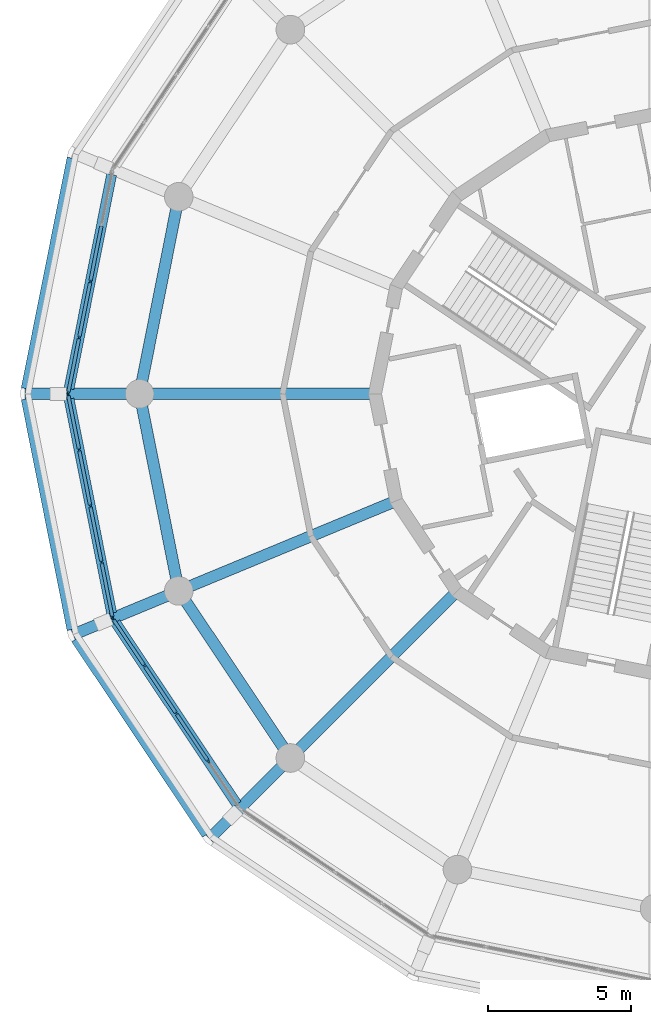
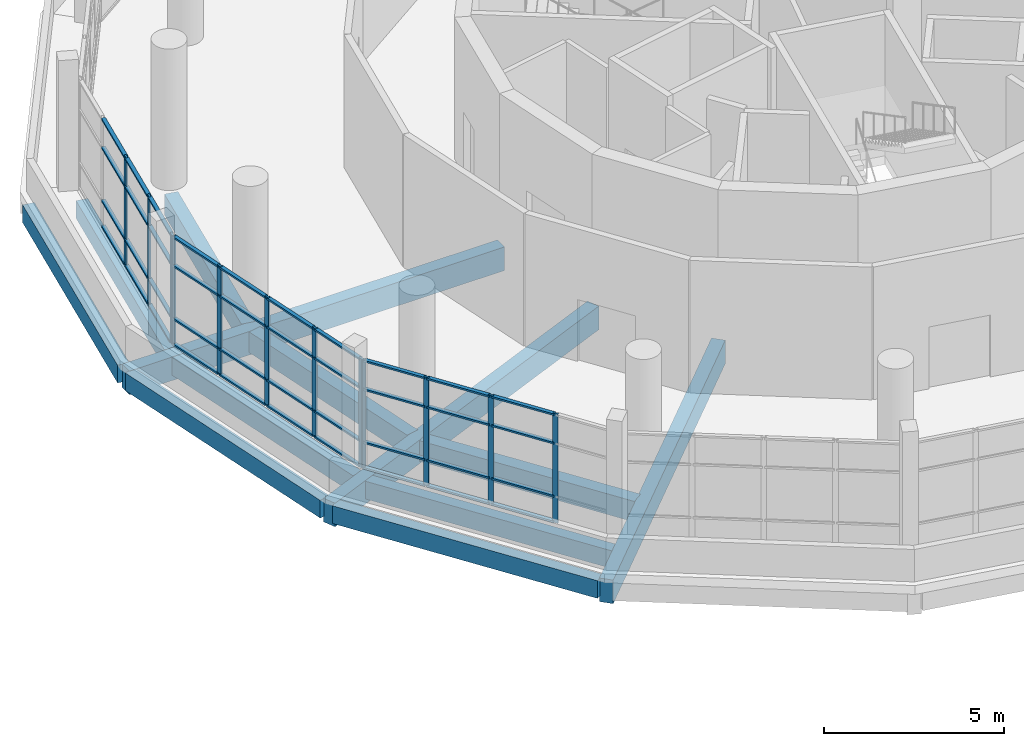
# One storey, part 6 of 40: 52 members, 12 beams, 3 elements without a shape of their own.
"""IFC4 building model written with IfcOpenShell, lengths in metres."""

from ifc_helpers import new_model, si_unit, direction, frame, origin, origin_2d, place, context, subcontext, project, spatial, rectangle, extrude, material, material_profile, profile_set, type_object, element, aggregate, save


model = new_model("IFC4")

# Units and contexts
model_context = context("Model", 3, precision=1e-05, world=origin(), true_north=direction((0.0, 1.0)))
body_context = subcontext(model_context, "Body", "Model", "MODEL_VIEW")
ifc_project = project(units=[si_unit("LENGTHUNIT", "METRE"), si_unit("AREAUNIT", "SQUARE_METRE"), si_unit("VOLUMEUNIT", "CUBIC_METRE"), si_unit("PLANEANGLEUNIT", "RADIAN"), si_unit("MASSUNIT", "GRAM", prefix="KILO")], contexts=[model_context])

# Site, building, storey
site_placement = place(None, origin())
site = spatial("IfcSite", under=ifc_project, at=site_placement, CompositionType="ELEMENT")
building_placement = place(site_placement, origin())
building = spatial("IfcBuilding", under=site, at=building_placement, Name="Ceibo Conservatory and Research Tower", CompositionType="ELEMENT")
storey_placement = place(building_placement, frame((0.0, 0.0, 6.0)))
storey = spatial("IfcBuildingStorey", under=building, at=storey_placement, Name="L01", CompositionType="ELEMENT", Elevation=6.0)

# Curtain wall, members
ifc_material_1 = material(Name="Aluminium and glass", Category="aluminium")
curtain_wall_type = type_object("IfcCurtainWallType", Name="Curtain wall CW1", PredefinedType="NOTDEFINED", material=ifc_material_1)
curtain_wall_1_placement = place(storey_placement, origin())
curtain_wall_1 = element("IfcCurtainWall", 1, at=curtain_wall_1_placement, inside=storey, type_object=curtain_wall_type, Name="CW-01.08", PredefinedType="NOTDEFINED")
ifc_material_2 = material(Name="Aluminium", Category="aluminium")
ifc_material_profile_1 = material_profile(ifc_material_2, rectangle(XDim=0.06005859375, YDim=0.159912109375, at=origin_2d()), Name="Aluminium 60 x 160")
ifc_profile_set_1 = profile_set([ifc_material_profile_1], Name="Aluminium")
member_type_1 = type_object("IfcMemberType", Name="Aluminium mullion 60 x 160", PredefinedType="MULLION", material=ifc_profile_set_1)
member_1_placement = place(storey_placement, frame((28.2802734375, 123.922607421875, 0.0), z_axis=(0.0, 0.0, 1.0), x_axis=(0.980785268711, -0.195090380799, 0.0)))
member_1 = element("IfcMember", 2, at=member_1_placement, type_object=member_type_1, Name="CW-01.08 mullion 3", PredefinedType="MULLION", context=body_context, shape_type="SweptSolid", body=[
    extrude(rectangle(XDim=0.06005859375, YDim=0.159912109375, at=origin_2d()), origin(), (0.0, 0.0, 1.0), 3.699951171875),
])
member_2_placement = place(storey_placement, frame((27.89013671875, 121.961181640625, 0.0), z_axis=(0.0, 0.0, 1.0), x_axis=(0.980785268711, -0.195090380799, 0.0)))
member_2 = element("IfcMember", 3, at=member_2_placement, type_object=member_type_1, Name="CW-01.08 mullion 4", PredefinedType="MULLION", context=body_context, shape_type="SweptSolid", body=[
    extrude(rectangle(XDim=0.06005859375, YDim=0.159912109375, at=origin_2d()), origin(), (0.0, 0.0, 1.0), 3.699951171875),
])
member_3_placement = place(storey_placement, frame((27.505859375, 120.029541015625, 0.0), z_axis=(0.0, 0.0, 1.0), x_axis=(0.980785268711, -0.195090380799, 0.0)))
member_3 = element("IfcMember", 4, at=member_3_placement, type_object=member_type_1, Name="CW-01.08 mullion 5", PredefinedType="MULLION", context=body_context, shape_type="SweptSolid", body=[
    extrude(rectangle(XDim=0.06005859375, YDim=0.159912109375, at=origin_2d()), origin(), (0.0, 0.0, 1.0), 3.699951171875),
])

curtain_wall_2_placement = place(storey_placement, origin())
curtain_wall_2 = element("IfcCurtainWall", 5, at=curtain_wall_2_placement, inside=storey, type_object=curtain_wall_type, Name="CW-01.09", PredefinedType="NOTDEFINED")
member_4_placement = place(storey_placement, frame((27.505859375, 119.970458984375, 0.0), z_axis=(0.0, 0.0, 1.0), x_axis=(0.980785268711, 0.195090380799, 0.0)))
member_4 = element("IfcMember", 6, at=member_4_placement, type_object=member_type_1, Name="CW-01.09 mullion 1", PredefinedType="MULLION", context=body_context, shape_type="SweptSolid", body=[
    extrude(rectangle(XDim=0.06005859375, YDim=0.159912109375, at=origin_2d()), origin(), (0.0, 0.0, 1.0), 3.699951171875),
])
member_5_placement = place(storey_placement, frame((27.89013671875, 118.038818359375, 0.0), z_axis=(0.0, 0.0, 1.0), x_axis=(0.980785268711, 0.195090380799, 0.0)))
member_5 = element("IfcMember", 7, at=member_5_placement, type_object=member_type_1, Name="CW-01.09 mullion 2", PredefinedType="MULLION", context=body_context, shape_type="SweptSolid", body=[
    extrude(rectangle(XDim=0.06005859375, YDim=0.159912109375, at=origin_2d()), origin(), (0.0, 0.0, 1.0), 3.699951171875),
])
member_6_placement = place(storey_placement, frame((28.2802734375, 116.077392578125, 0.0), z_axis=(0.0, 0.0, 1.0), x_axis=(0.980785268711, 0.195090380799, 0.0)))
member_6 = element("IfcMember", 8, at=member_6_placement, type_object=member_type_1, Name="CW-01.09 mullion 3", PredefinedType="MULLION", context=body_context, shape_type="SweptSolid", body=[
    extrude(rectangle(XDim=0.06005859375, YDim=0.159912109375, at=origin_2d()), origin(), (0.0, 0.0, 1.0), 3.699951171875),
])
member_7_placement = place(storey_placement, frame((28.67041015625, 114.1162109375, 0.0), z_axis=(0.0, 0.0, 1.0), x_axis=(0.980785268711, 0.195090380799, 0.0)))
member_7 = element("IfcMember", 9, at=member_7_placement, type_object=member_type_1, Name="CW-01.09 mullion 4", PredefinedType="MULLION", context=body_context, shape_type="SweptSolid", body=[
    extrude(rectangle(XDim=0.06005859375, YDim=0.159912109375, at=origin_2d()), origin(), (0.0, 0.0, 1.0), 3.699951171875),
])
member_8_placement = place(storey_placement, frame((29.0546875, 112.184326171875, 0.0), z_axis=(0.0, 0.0, 1.0), x_axis=(0.980785268711, 0.195090380799, 0.0)))
member_8 = element("IfcMember", 10, at=member_8_placement, type_object=member_type_1, Name="CW-01.09 mullion 5", PredefinedType="MULLION", context=body_context, shape_type="SweptSolid", body=[
    extrude(rectangle(XDim=0.06005859375, YDim=0.159912109375, at=origin_2d()), origin(), (0.0, 0.0, 1.0), 3.699951171875),
])

curtain_wall_3_placement = place(storey_placement, origin())
curtain_wall_3 = element("IfcCurtainWall", 11, at=curtain_wall_3_placement, inside=storey, type_object=curtain_wall_type, Name="CW-01.10", PredefinedType="NOTDEFINED")
member_9_placement = place(storey_placement, frame((29.0771484375, 112.130126953125, 0.0), z_axis=(0.0, 0.0, 1.0), x_axis=(0.831469649004, 0.555570178092, 0.0)))
member_9 = element("IfcMember", 12, at=member_9_placement, type_object=member_type_1, Name="CW-01.10 mullion 1", PredefinedType="MULLION", context=body_context, shape_type="SweptSolid", body=[
    extrude(rectangle(XDim=0.06005859375, YDim=0.159912109375, at=origin_2d()), origin(), (0.0, 0.0, 1.0), 3.699951171875),
])
member_10_placement = place(storey_placement, frame((30.17138671875, 110.492431640625, 0.0), z_axis=(0.0, 0.0, 1.0), x_axis=(0.831469649004, 0.555570178092, 0.0)))
member_10 = element("IfcMember", 13, at=member_10_placement, type_object=member_type_1, Name="CW-01.10 mullion 2", PredefinedType="MULLION", context=body_context, shape_type="SweptSolid", body=[
    extrude(rectangle(XDim=0.06005859375, YDim=0.159912109375, at=origin_2d()), origin(), (0.0, 0.0, 1.0), 3.699951171875),
])
member_11_placement = place(storey_placement, frame((31.282470703125, 108.82958984375, 0.0), z_axis=(0.0, 0.0, 1.0), x_axis=(0.831469649004, 0.555570178092, 0.0)))
member_11 = element("IfcMember", 14, at=member_11_placement, type_object=member_type_1, Name="CW-01.10 mullion 3", PredefinedType="MULLION", context=body_context, shape_type="SweptSolid", body=[
    extrude(rectangle(XDim=0.06005859375, YDim=0.159912109375, at=origin_2d()), origin(), (0.0, 0.0, 1.0), 3.699951171875),
])
member_12_placement = place(storey_placement, frame((32.393310546875, 107.1669921875, 0.0), z_axis=(0.0, 0.0, 1.0), x_axis=(0.831469649004, 0.555570178092, 0.0)))
member_12 = element("IfcMember", 15, at=member_12_placement, type_object=member_type_1, Name="CW-01.10 mullion 4", PredefinedType="MULLION", context=body_context, shape_type="SweptSolid", body=[
    extrude(rectangle(XDim=0.06005859375, YDim=0.159912109375, at=origin_2d()), origin(), (0.0, 0.0, 1.0), 3.699951171875),
])

# Member
ifc_material_profile_2 = material_profile(ifc_material_2, rectangle(XDim=0.1201171875, YDim=0.06005859375, at=origin_2d()), Name="Aluminium 60 x 120")
ifc_profile_set_2 = profile_set([ifc_material_profile_2], Name="Aluminium")
member_type_2 = type_object("IfcMemberType", Name="Aluminium transom 60 x 120", PredefinedType="USERDEFINED", material=ifc_profile_set_2)
member_13_placement = place(storey_placement, frame((28.66455078125, 125.854248046875, 0.030029296875), z_axis=(-0.195099382826, -0.980783478053, 0.0), x_axis=(0.980783478053, -0.195099382826, 0.0)))
member_13 = element("IfcMember", 16, at=member_13_placement, type_object=member_type_2, Name="CW-01.08 transom 2.1", ObjectType="TRANSOM", PredefinedType="USERDEFINED", context=body_context, shape_type="SweptSolid", body=[
    extrude(rectangle(XDim=0.1201171875, YDim=0.06005859375, at=origin_2d()), origin(), (0.0, 0.0, 1.0), 1.939697265625),
])

member_14_placement = place(storey_placement, frame((28.66455078125, 125.854248046875, 0.89990234375), z_axis=(-0.195099382826, -0.980783478053, 0.0), x_axis=(0.980783478053, -0.195099382826, 0.0)))
member_14 = element("IfcMember", 17, at=member_14_placement, type_object=member_type_2, Name="CW-01.08 transom 2.2", ObjectType="TRANSOM", PredefinedType="USERDEFINED", context=body_context, shape_type="SweptSolid", body=[
    extrude(rectangle(XDim=0.1201171875, YDim=0.06005859375, at=origin_2d()), origin(), (0.0, 0.0, 1.0), 1.939697265625),
])

member_15_placement = place(storey_placement, frame((28.66455078125, 125.854248046875, 2.699951171875), z_axis=(-0.195099382826, -0.980783478053, 0.0), x_axis=(0.980783478053, -0.195099382826, 0.0)))
member_15 = element("IfcMember", 18, at=member_15_placement, type_object=member_type_2, Name="CW-01.08 transom 2.3", ObjectType="TRANSOM", PredefinedType="USERDEFINED", context=body_context, shape_type="SweptSolid", body=[
    extrude(rectangle(XDim=0.1201171875, YDim=0.06005859375, at=origin_2d()), origin(), (0.0, 0.0, 1.0), 1.939697265625),
])

member_16_placement = place(storey_placement, frame((28.66455078125, 125.854248046875, 3.669921875), z_axis=(-0.195099382826, -0.980783478053, 0.0), x_axis=(0.980783478053, -0.195099382826, 0.0)))
member_16 = element("IfcMember", 19, at=member_16_placement, type_object=member_type_2, Name="CW-01.08 transom 2.4", ObjectType="TRANSOM", PredefinedType="USERDEFINED", context=body_context, shape_type="SweptSolid", body=[
    extrude(rectangle(XDim=0.1201171875, YDim=0.06005859375, at=origin_2d()), origin(), (0.0, 0.0, 1.0), 1.939697265625),
])

member_17_placement = place(storey_placement, frame((28.2744140625, 123.89306640625, 0.030029296875), z_axis=(-0.195099382826, -0.980783478053, 0.0), x_axis=(0.980783478053, -0.195099382826, 0.0)))
member_17 = element("IfcMember", 20, at=member_17_placement, type_object=member_type_2, Name="CW-01.08 transom 3.1", ObjectType="TRANSOM", PredefinedType="USERDEFINED", context=body_context, shape_type="SweptSolid", body=[
    extrude(rectangle(XDim=0.1201171875, YDim=0.06005859375, at=origin_2d()), origin(), (0.0, 0.0, 1.0), 1.939697265625),
])

member_18_placement = place(storey_placement, frame((28.2744140625, 123.89306640625, 0.89990234375), z_axis=(-0.195099382826, -0.980783478053, 0.0), x_axis=(0.980783478053, -0.195099382826, 0.0)))
member_18 = element("IfcMember", 21, at=member_18_placement, type_object=member_type_2, Name="CW-01.08 transom 3.2", ObjectType="TRANSOM", PredefinedType="USERDEFINED", context=body_context, shape_type="SweptSolid", body=[
    extrude(rectangle(XDim=0.1201171875, YDim=0.06005859375, at=origin_2d()), origin(), (0.0, 0.0, 1.0), 1.939697265625),
])

member_19_placement = place(storey_placement, frame((28.2744140625, 123.89306640625, 2.699951171875), z_axis=(-0.195099382826, -0.980783478053, 0.0), x_axis=(0.980783478053, -0.195099382826, 0.0)))
member_19 = element("IfcMember", 22, at=member_19_placement, type_object=member_type_2, Name="CW-01.08 transom 3.3", ObjectType="TRANSOM", PredefinedType="USERDEFINED", context=body_context, shape_type="SweptSolid", body=[
    extrude(rectangle(XDim=0.1201171875, YDim=0.06005859375, at=origin_2d()), origin(), (0.0, 0.0, 1.0), 1.939697265625),
])

member_20_placement = place(storey_placement, frame((28.2744140625, 123.89306640625, 3.669921875), z_axis=(-0.195099382826, -0.980783478053, 0.0), x_axis=(0.980783478053, -0.195099382826, 0.0)))
member_20 = element("IfcMember", 23, at=member_20_placement, type_object=member_type_2, Name="CW-01.08 transom 3.4", ObjectType="TRANSOM", PredefinedType="USERDEFINED", context=body_context, shape_type="SweptSolid", body=[
    extrude(rectangle(XDim=0.1201171875, YDim=0.06005859375, at=origin_2d()), origin(), (0.0, 0.0, 1.0), 1.939697265625),
])

member_21_placement = place(storey_placement, frame((27.88427734375, 121.931884765625, 0.030029296875), z_axis=(-0.195083474499, -0.980786642434, 0.0), x_axis=(0.980786642434, -0.195083474499, 0.0)))
member_21 = element("IfcMember", 24, at=member_21_placement, type_object=member_type_2, Name="CW-01.08 transom 4.1", ObjectType="TRANSOM", PredefinedType="USERDEFINED", context=body_context, shape_type="SweptSolid", body=[
    extrude(rectangle(XDim=0.1201171875, YDim=0.06005859375, at=origin_2d()), origin(), (0.0, 0.0, 1.0), 1.90966796875),
])

member_22_placement = place(storey_placement, frame((27.88427734375, 121.931884765625, 0.89990234375), z_axis=(-0.195083474499, -0.980786642434, 0.0), x_axis=(0.980786642434, -0.195083474499, 0.0)))
member_22 = element("IfcMember", 25, at=member_22_placement, type_object=member_type_2, Name="CW-01.08 transom 4.2", ObjectType="TRANSOM", PredefinedType="USERDEFINED", context=body_context, shape_type="SweptSolid", body=[
    extrude(rectangle(XDim=0.1201171875, YDim=0.06005859375, at=origin_2d()), origin(), (0.0, 0.0, 1.0), 1.90966796875),
])

member_23_placement = place(storey_placement, frame((27.88427734375, 121.931884765625, 2.699951171875), z_axis=(-0.195083474499, -0.980786642434, 0.0), x_axis=(0.980786642434, -0.195083474499, 0.0)))
member_23 = element("IfcMember", 26, at=member_23_placement, type_object=member_type_2, Name="CW-01.08 transom 4.3", ObjectType="TRANSOM", PredefinedType="USERDEFINED", context=body_context, shape_type="SweptSolid", body=[
    extrude(rectangle(XDim=0.1201171875, YDim=0.06005859375, at=origin_2d()), origin(), (0.0, 0.0, 1.0), 1.90966796875),
])

member_24_placement = place(storey_placement, frame((27.88427734375, 121.931884765625, 3.669921875), z_axis=(-0.195083474499, -0.980786642434, 0.0), x_axis=(0.980786642434, -0.195083474499, 0.0)))
member_24 = element("IfcMember", 27, at=member_24_placement, type_object=member_type_2, Name="CW-01.08 transom 4.4", ObjectType="TRANSOM", PredefinedType="USERDEFINED", context=body_context, shape_type="SweptSolid", body=[
    extrude(rectangle(XDim=0.1201171875, YDim=0.06005859375, at=origin_2d()), origin(), (0.0, 0.0, 1.0), 1.90966796875),
])

aggregate(curtain_wall_1, [member_1, member_2, member_3, member_13, member_14, member_15, member_16, member_17, member_18, member_19, member_20, member_21, member_22, member_23, member_24])

member_25_placement = place(storey_placement, frame((27.51171875, 119.941162109375, 0.030029296875), z_axis=(0.195083474499, -0.980786642434, 0.0), x_axis=(0.980786642434, 0.195083474499, 0.0)))
member_25 = element("IfcMember", 28, at=member_25_placement, type_object=member_type_2, Name="CW-01.09 transom 1.1", ObjectType="TRANSOM", PredefinedType="USERDEFINED", context=body_context, shape_type="SweptSolid", body=[
    extrude(rectangle(XDim=0.1201171875, YDim=0.06005859375, at=origin_2d()), origin(), (0.0, 0.0, 1.0), 1.90966796875),
])

member_26_placement = place(storey_placement, frame((27.51171875, 119.941162109375, 0.89990234375), z_axis=(0.195083474499, -0.980786642434, 0.0), x_axis=(0.980786642434, 0.195083474499, 0.0)))
member_26 = element("IfcMember", 29, at=member_26_placement, type_object=member_type_2, Name="CW-01.09 transom 1.2", ObjectType="TRANSOM", PredefinedType="USERDEFINED", context=body_context, shape_type="SweptSolid", body=[
    extrude(rectangle(XDim=0.1201171875, YDim=0.06005859375, at=origin_2d()), origin(), (0.0, 0.0, 1.0), 1.90966796875),
])

member_27_placement = place(storey_placement, frame((27.51171875, 119.941162109375, 2.699951171875), z_axis=(0.195083474499, -0.980786642434, 0.0), x_axis=(0.980786642434, 0.195083474499, 0.0)))
member_27 = element("IfcMember", 30, at=member_27_placement, type_object=member_type_2, Name="CW-01.09 transom 1.3", ObjectType="TRANSOM", PredefinedType="USERDEFINED", context=body_context, shape_type="SweptSolid", body=[
    extrude(rectangle(XDim=0.1201171875, YDim=0.06005859375, at=origin_2d()), origin(), (0.0, 0.0, 1.0), 1.90966796875),
])

member_28_placement = place(storey_placement, frame((27.51171875, 119.941162109375, 3.669921875), z_axis=(0.195083474499, -0.980786642434, 0.0), x_axis=(0.980786642434, 0.195083474499, 0.0)))
member_28 = element("IfcMember", 31, at=member_28_placement, type_object=member_type_2, Name="CW-01.09 transom 1.4", ObjectType="TRANSOM", PredefinedType="USERDEFINED", context=body_context, shape_type="SweptSolid", body=[
    extrude(rectangle(XDim=0.1201171875, YDim=0.06005859375, at=origin_2d()), origin(), (0.0, 0.0, 1.0), 1.90966796875),
])

member_29_placement = place(storey_placement, frame((27.89599609375, 118.00927734375, 0.030029296875), z_axis=(0.195099382826, -0.980783478053, 0.0), x_axis=(0.980783478053, 0.195099382826, 0.0)))
member_29 = element("IfcMember", 32, at=member_29_placement, type_object=member_type_2, Name="CW-01.09 transom 2.1", ObjectType="TRANSOM", PredefinedType="USERDEFINED", context=body_context, shape_type="SweptSolid", body=[
    extrude(rectangle(XDim=0.1201171875, YDim=0.06005859375, at=origin_2d()), origin(), (0.0, 0.0, 1.0), 1.939697265625),
])

member_30_placement = place(storey_placement, frame((27.89599609375, 118.00927734375, 0.89990234375), z_axis=(0.195099382826, -0.980783478053, 0.0), x_axis=(0.980783478053, 0.195099382826, 0.0)))
member_30 = element("IfcMember", 33, at=member_30_placement, type_object=member_type_2, Name="CW-01.09 transom 2.2", ObjectType="TRANSOM", PredefinedType="USERDEFINED", context=body_context, shape_type="SweptSolid", body=[
    extrude(rectangle(XDim=0.1201171875, YDim=0.06005859375, at=origin_2d()), origin(), (0.0, 0.0, 1.0), 1.939697265625),
])

member_31_placement = place(storey_placement, frame((27.89599609375, 118.00927734375, 2.699951171875), z_axis=(0.195099382826, -0.980783478053, 0.0), x_axis=(0.980783478053, 0.195099382826, 0.0)))
member_31 = element("IfcMember", 34, at=member_31_placement, type_object=member_type_2, Name="CW-01.09 transom 2.3", ObjectType="TRANSOM", PredefinedType="USERDEFINED", context=body_context, shape_type="SweptSolid", body=[
    extrude(rectangle(XDim=0.1201171875, YDim=0.06005859375, at=origin_2d()), origin(), (0.0, 0.0, 1.0), 1.939697265625),
])

member_32_placement = place(storey_placement, frame((27.89599609375, 118.00927734375, 3.669921875), z_axis=(0.195099382826, -0.980783478053, 0.0), x_axis=(0.980783478053, 0.195099382826, 0.0)))
member_32 = element("IfcMember", 35, at=member_32_placement, type_object=member_type_2, Name="CW-01.09 transom 2.4", ObjectType="TRANSOM", PredefinedType="USERDEFINED", context=body_context, shape_type="SweptSolid", body=[
    extrude(rectangle(XDim=0.1201171875, YDim=0.06005859375, at=origin_2d()), origin(), (0.0, 0.0, 1.0), 1.939697265625),
])

member_33_placement = place(storey_placement, frame((28.2861328125, 116.048095703125, 0.030029296875), z_axis=(0.195099382826, -0.980783478053, 0.0), x_axis=(0.980783478053, 0.195099382826, 0.0)))
member_33 = element("IfcMember", 36, at=member_33_placement, type_object=member_type_2, Name="CW-01.09 transom 3.1", ObjectType="TRANSOM", PredefinedType="USERDEFINED", context=body_context, shape_type="SweptSolid", body=[
    extrude(rectangle(XDim=0.1201171875, YDim=0.06005859375, at=origin_2d()), origin(), (0.0, 0.0, 1.0), 1.939697265625),
])

member_34_placement = place(storey_placement, frame((28.2861328125, 116.048095703125, 0.89990234375), z_axis=(0.195099382826, -0.980783478053, 0.0), x_axis=(0.980783478053, 0.195099382826, 0.0)))
member_34 = element("IfcMember", 37, at=member_34_placement, type_object=member_type_2, Name="CW-01.09 transom 3.2", ObjectType="TRANSOM", PredefinedType="USERDEFINED", context=body_context, shape_type="SweptSolid", body=[
    extrude(rectangle(XDim=0.1201171875, YDim=0.06005859375, at=origin_2d()), origin(), (0.0, 0.0, 1.0), 1.939697265625),
])

member_35_placement = place(storey_placement, frame((28.2861328125, 116.048095703125, 2.699951171875), z_axis=(0.195099382826, -0.980783478053, 0.0), x_axis=(0.980783478053, 0.195099382826, 0.0)))
member_35 = element("IfcMember", 38, at=member_35_placement, type_object=member_type_2, Name="CW-01.09 transom 3.3", ObjectType="TRANSOM", PredefinedType="USERDEFINED", context=body_context, shape_type="SweptSolid", body=[
    extrude(rectangle(XDim=0.1201171875, YDim=0.06005859375, at=origin_2d()), origin(), (0.0, 0.0, 1.0), 1.939697265625),
])

member_36_placement = place(storey_placement, frame((28.2861328125, 116.048095703125, 3.669921875), z_axis=(0.195099382826, -0.980783478053, 0.0), x_axis=(0.980783478053, 0.195099382826, 0.0)))
member_36 = element("IfcMember", 39, at=member_36_placement, type_object=member_type_2, Name="CW-01.09 transom 3.4", ObjectType="TRANSOM", PredefinedType="USERDEFINED", context=body_context, shape_type="SweptSolid", body=[
    extrude(rectangle(XDim=0.1201171875, YDim=0.06005859375, at=origin_2d()), origin(), (0.0, 0.0, 1.0), 1.939697265625),
])

member_37_placement = place(storey_placement, frame((28.67626953125, 114.0869140625, 0.030029296875), z_axis=(0.195083474499, -0.980786642434, 0.0), x_axis=(0.980786642434, 0.195083474499, 0.0)))
member_37 = element("IfcMember", 40, at=member_37_placement, type_object=member_type_2, Name="CW-01.09 transom 4.1", ObjectType="TRANSOM", PredefinedType="USERDEFINED", context=body_context, shape_type="SweptSolid", body=[
    extrude(rectangle(XDim=0.1201171875, YDim=0.06005859375, at=origin_2d()), origin(), (0.0, 0.0, 1.0), 1.90966796875),
])

member_38_placement = place(storey_placement, frame((28.67626953125, 114.0869140625, 0.89990234375), z_axis=(0.195083474499, -0.980786642434, 0.0), x_axis=(0.980786642434, 0.195083474499, 0.0)))
member_38 = element("IfcMember", 41, at=member_38_placement, type_object=member_type_2, Name="CW-01.09 transom 4.2", ObjectType="TRANSOM", PredefinedType="USERDEFINED", context=body_context, shape_type="SweptSolid", body=[
    extrude(rectangle(XDim=0.1201171875, YDim=0.06005859375, at=origin_2d()), origin(), (0.0, 0.0, 1.0), 1.90966796875),
])

member_39_placement = place(storey_placement, frame((28.67626953125, 114.0869140625, 2.699951171875), z_axis=(0.195083474499, -0.980786642434, 0.0), x_axis=(0.980786642434, 0.195083474499, 0.0)))
member_39 = element("IfcMember", 42, at=member_39_placement, type_object=member_type_2, Name="CW-01.09 transom 4.3", ObjectType="TRANSOM", PredefinedType="USERDEFINED", context=body_context, shape_type="SweptSolid", body=[
    extrude(rectangle(XDim=0.1201171875, YDim=0.06005859375, at=origin_2d()), origin(), (0.0, 0.0, 1.0), 1.90966796875),
])

member_40_placement = place(storey_placement, frame((28.67626953125, 114.0869140625, 3.669921875), z_axis=(0.195083474499, -0.980786642434, 0.0), x_axis=(0.980786642434, 0.195083474499, 0.0)))
member_40 = element("IfcMember", 43, at=member_40_placement, type_object=member_type_2, Name="CW-01.09 transom 4.4", ObjectType="TRANSOM", PredefinedType="USERDEFINED", context=body_context, shape_type="SweptSolid", body=[
    extrude(rectangle(XDim=0.1201171875, YDim=0.06005859375, at=origin_2d()), origin(), (0.0, 0.0, 1.0), 1.90966796875),
])

aggregate(curtain_wall_2, [member_4, member_5, member_6, member_7, member_8, member_25, member_26, member_27, member_28, member_29, member_30, member_31, member_32, member_33, member_34, member_35, member_36, member_37, member_38, member_39, member_40])

member_41_placement = place(storey_placement, frame((29.09375, 112.10498046875, 0.030029296875), z_axis=(0.555643975577, -0.831420334371, 0.0), x_axis=(0.831420334371, 0.555643975577, 0.0)))
member_41 = element("IfcMember", 44, at=member_41_placement, type_object=member_type_2, Name="CW-01.10 transom 1.1", ObjectType="TRANSOM", PredefinedType="USERDEFINED", context=body_context, shape_type="SweptSolid", body=[
    extrude(rectangle(XDim=0.1201171875, YDim=0.06005859375, at=origin_2d()), origin(), (0.0, 0.0, 1.0), 1.90966796875),
])

member_42_placement = place(storey_placement, frame((29.09375, 112.10498046875, 0.89990234375), z_axis=(0.555643975577, -0.831420334371, 0.0), x_axis=(0.831420334371, 0.555643975577, 0.0)))
member_42 = element("IfcMember", 45, at=member_42_placement, type_object=member_type_2, Name="CW-01.10 transom 1.2", ObjectType="TRANSOM", PredefinedType="USERDEFINED", context=body_context, shape_type="SweptSolid", body=[
    extrude(rectangle(XDim=0.1201171875, YDim=0.06005859375, at=origin_2d()), origin(), (0.0, 0.0, 1.0), 1.90966796875),
])

member_43_placement = place(storey_placement, frame((29.09375, 112.10498046875, 2.699951171875), z_axis=(0.555643975577, -0.831420334371, 0.0), x_axis=(0.831420334371, 0.555643975577, 0.0)))
member_43 = element("IfcMember", 46, at=member_43_placement, type_object=member_type_2, Name="CW-01.10 transom 1.3", ObjectType="TRANSOM", PredefinedType="USERDEFINED", context=body_context, shape_type="SweptSolid", body=[
    extrude(rectangle(XDim=0.1201171875, YDim=0.06005859375, at=origin_2d()), origin(), (0.0, 0.0, 1.0), 1.90966796875),
])

member_44_placement = place(storey_placement, frame((29.09375, 112.10498046875, 3.669921875), z_axis=(0.555643975577, -0.831420334371, 0.0), x_axis=(0.831420334371, 0.555643975577, 0.0)))
member_44 = element("IfcMember", 47, at=member_44_placement, type_object=member_type_2, Name="CW-01.10 transom 1.4", ObjectType="TRANSOM", PredefinedType="USERDEFINED", context=body_context, shape_type="SweptSolid", body=[
    extrude(rectangle(XDim=0.1201171875, YDim=0.06005859375, at=origin_2d()), origin(), (0.0, 0.0, 1.0), 1.90966796875),
])

member_45_placement = place(storey_placement, frame((30.18798828125, 110.46728515625, 0.030029296875), z_axis=(0.55557127007, -0.831468919367, 0.0), x_axis=(0.831468919367, 0.55557127007, 0.0)))
member_45 = element("IfcMember", 48, at=member_45_placement, type_object=member_type_2, Name="CW-01.10 transom 2.1", ObjectType="TRANSOM", PredefinedType="USERDEFINED", context=body_context, shape_type="SweptSolid", body=[
    extrude(rectangle(XDim=0.1201171875, YDim=0.06005859375, at=origin_2d()), origin(), (0.0, 0.0, 1.0), 1.939697265625),
])

member_46_placement = place(storey_placement, frame((30.18798828125, 110.46728515625, 0.89990234375), z_axis=(0.55557127007, -0.831468919367, 0.0), x_axis=(0.831468919367, 0.55557127007, 0.0)))
member_46 = element("IfcMember", 49, at=member_46_placement, type_object=member_type_2, Name="CW-01.10 transom 2.2", ObjectType="TRANSOM", PredefinedType="USERDEFINED", context=body_context, shape_type="SweptSolid", body=[
    extrude(rectangle(XDim=0.1201171875, YDim=0.06005859375, at=origin_2d()), origin(), (0.0, 0.0, 1.0), 1.939697265625),
])

member_47_placement = place(storey_placement, frame((30.18798828125, 110.46728515625, 2.699951171875), z_axis=(0.55557127007, -0.831468919367, 0.0), x_axis=(0.831468919367, 0.55557127007, 0.0)))
member_47 = element("IfcMember", 50, at=member_47_placement, type_object=member_type_2, Name="CW-01.10 transom 2.3", ObjectType="TRANSOM", PredefinedType="USERDEFINED", context=body_context, shape_type="SweptSolid", body=[
    extrude(rectangle(XDim=0.1201171875, YDim=0.06005859375, at=origin_2d()), origin(), (0.0, 0.0, 1.0), 1.939697265625),
])

member_48_placement = place(storey_placement, frame((30.18798828125, 110.46728515625, 3.669921875), z_axis=(0.55557127007, -0.831468919367, 0.0), x_axis=(0.831468919367, 0.55557127007, 0.0)))
member_48 = element("IfcMember", 51, at=member_48_placement, type_object=member_type_2, Name="CW-01.10 transom 2.4", ObjectType="TRANSOM", PredefinedType="USERDEFINED", context=body_context, shape_type="SweptSolid", body=[
    extrude(rectangle(XDim=0.1201171875, YDim=0.06005859375, at=origin_2d()), origin(), (0.0, 0.0, 1.0), 1.939697265625),
])

member_49_placement = place(storey_placement, frame((31.299072265625, 108.8046875, 0.030029296875), z_axis=(0.55557127007, -0.831468919367, 0.0), x_axis=(0.831468919367, 0.55557127007, 0.0)))
member_49 = element("IfcMember", 52, at=member_49_placement, type_object=member_type_2, Name="CW-01.10 transom 3.1", ObjectType="TRANSOM", PredefinedType="USERDEFINED", context=body_context, shape_type="SweptSolid", body=[
    extrude(rectangle(XDim=0.1201171875, YDim=0.06005859375, at=origin_2d()), origin(), (0.0, 0.0, 1.0), 1.939697265625),
])

member_50_placement = place(storey_placement, frame((31.299072265625, 108.8046875, 0.89990234375), z_axis=(0.55557127007, -0.831468919367, 0.0), x_axis=(0.831468919367, 0.55557127007, 0.0)))
member_50 = element("IfcMember", 53, at=member_50_placement, type_object=member_type_2, Name="CW-01.10 transom 3.2", ObjectType="TRANSOM", PredefinedType="USERDEFINED", context=body_context, shape_type="SweptSolid", body=[
    extrude(rectangle(XDim=0.1201171875, YDim=0.06005859375, at=origin_2d()), origin(), (0.0, 0.0, 1.0), 1.939697265625),
])

member_51_placement = place(storey_placement, frame((31.299072265625, 108.8046875, 2.699951171875), z_axis=(0.55557127007, -0.831468919367, 0.0), x_axis=(0.831468919367, 0.55557127007, 0.0)))
member_51 = element("IfcMember", 54, at=member_51_placement, type_object=member_type_2, Name="CW-01.10 transom 3.3", ObjectType="TRANSOM", PredefinedType="USERDEFINED", context=body_context, shape_type="SweptSolid", body=[
    extrude(rectangle(XDim=0.1201171875, YDim=0.06005859375, at=origin_2d()), origin(), (0.0, 0.0, 1.0), 1.939697265625),
])

member_52_placement = place(storey_placement, frame((31.299072265625, 108.8046875, 3.669921875), z_axis=(0.55557127007, -0.831468919367, 0.0), x_axis=(0.831468919367, 0.55557127007, 0.0)))
member_52 = element("IfcMember", 55, at=member_52_placement, type_object=member_type_2, Name="CW-01.10 transom 3.4", ObjectType="TRANSOM", PredefinedType="USERDEFINED", context=body_context, shape_type="SweptSolid", body=[
    extrude(rectangle(XDim=0.1201171875, YDim=0.06005859375, at=origin_2d()), origin(), (0.0, 0.0, 1.0), 1.939697265625),
])

aggregate(curtain_wall_3, [member_9, member_10, member_11, member_12, member_41, member_42, member_43, member_44, member_45, member_46, member_47, member_48, member_49, member_50, member_51, member_52])

# Beams
ifc_material_3 = material(Name="Concrete C35/45", Category="concrete")
ifc_material_profile_3 = material_profile(ifc_material_3, rectangle(XDim=0.35009765625, YDim=0.60009765625, at=origin_2d()), Name="RC 350x600")
ifc_profile_set_3 = profile_set([ifc_material_profile_3], Name="Concrete C35/45")
beam_type_1 = type_object("IfcBeamType", Name="RC beam 350x600 C35", PredefinedType="BEAM", material=ifc_profile_set_3)
for number, where, z_axis, x_axis, name in (
    (56, (29.024658203125, 127.66455078125, -0.60009765625), (-0.195100828433, -0.980783190489, 0.0), (0.980783190489, -0.195100828433, 0.0), "Edge beam 08 L01"),
    (57, (27.535888671875, 119.819580078125, -0.60009765625), (0.195100828433, -0.980783190489, 0.0), (0.980783190489, 0.195100828433, 0.0), "Edge beam 09 L01"),
    (58, (29.16259765625, 112.001953125, -0.60009765625), (0.555578495676, -0.831464091312, 0.0), (0.831464091312, 0.555578495676, 0.0), "Edge beam 10 L01"),
):
    element("IfcBeam", number, at=place(storey_placement, frame(where, z_axis=z_axis, x_axis=x_axis)), inside=storey, type_object=beam_type_1, Name=name, PredefinedType="BEAM", context=body_context, shape_type="SweptSolid", body=[
        extrude(rectangle(XDim=0.35009765625, YDim=0.60009765625, at=origin_2d()), origin(), (0.0, 0.0, 1.0), 7.630859375),
    ])
for number, where, z_axis, x_axis, name in (
    (59, (27.638671875, 128.23876953125, -0.60009765625), (-0.195076015612, -0.980788126016, 0.0), (0.980788126016, -0.195076015612, 0.0), "Edge beam 08 L01"),
    (60, (26.035888671875, 119.819580078125, -0.60009765625), (0.195076015612, -0.980788126016, 0.0), (0.980788126016, 0.195076015612, 0.0), "Edge beam 09 L01"),
):
    element("IfcBeam", number, at=place(storey_placement, frame(where, z_axis=z_axis, x_axis=x_axis)), inside=storey, type_object=beam_type_1, Name=name, PredefinedType="BEAM", context=body_context, shape_type="SweptSolid", body=[
        extrude(rectangle(XDim=0.35009765625, YDim=0.60009765625, at=origin_2d()), origin(), (0.0, 0.0, 1.0), 8.21630859375),
    ])
beam_1_placement = place(storey_placement, frame((27.77685546875, 111.427978515625, -0.60009765625), z_axis=(0.555584480406, -0.831460092327, 0.0), x_axis=(0.831460092327, 0.555584480406, 0.0)))
element("IfcBeam", 61, at=beam_1_placement, inside=storey, type_object=beam_type_1, Name="Edge beam 10 L01", PredefinedType="BEAM", context=body_context, shape_type="SweptSolid", body=[
    extrude(rectangle(XDim=0.35009765625, YDim=0.60009765625, at=origin_2d()), origin(), (0.0, 0.0, 1.0), 8.216064453125),
])
ifc_material_profile_4 = material_profile(ifc_material_3, rectangle(XDim=0.39990234375, YDim=0.699951171875, at=origin_2d()), Name="RC 400x700")
ifc_profile_set_4 = profile_set([ifc_material_profile_4], Name="Concrete C35/45")
beam_type_2 = type_object("IfcBeamType", Name="RC beam 400x700 C35", PredefinedType="BEAM", material=ifc_profile_set_4)
for number, where, z_axis, x_axis, name in (
    (62, (31.334228515625, 126.7080078125, -0.64990234375), (-0.19507903146, -0.980787526167, 0.0), (0.980787526167, -0.19507903146, 0.0), "Ring beam 08 L01"),
    (63, (30.035888671875, 119.819580078125, -0.64990234375), (0.19507903146, -0.980787526167, 0.0), (0.980787526167, 0.19507903146, 0.0), "Ring beam 09 L01"),
):
    element("IfcBeam", number, at=place(storey_placement, frame(where, z_axis=z_axis, x_axis=x_axis)), inside=storey, type_object=beam_type_2, Name=name, PredefinedType="BEAM", context=body_context, shape_type="SweptSolid", body=[
        extrude(rectangle(XDim=0.39990234375, YDim=0.699951171875, at=origin_2d()), origin(), (0.0, 0.0, 1.0), 6.655517578125),
    ])
beam_2_placement = place(storey_placement, frame((31.472412109375, 112.958740234375, -0.64990234375), z_axis=(0.555571830572, -0.83146854485, 0.0), x_axis=(0.83146854485, 0.555571830572, 0.0)))
element("IfcBeam", 64, at=beam_2_placement, inside=storey, type_object=beam_type_2, Name="Ring beam 10 L01", PredefinedType="BEAM", context=body_context, shape_type="SweptSolid", body=[
    extrude(rectangle(XDim=0.39990234375, YDim=0.699951171875, at=origin_2d()), origin(), (0.0, 0.0, 1.0), 6.6552734375),
])
ifc_material_profile_5 = material_profile(ifc_material_3, rectangle(XDim=0.39990234375, YDim=0.800048828125, at=origin_2d()), Name="RC 400x800")
ifc_profile_set_5 = profile_set([ifc_material_profile_5], Name="Concrete C35/45")
beam_type_3 = type_object("IfcBeamType", Name="RC beam 400x800 C35", PredefinedType="BEAM", material=ifc_profile_set_5)
for number, where, z_axis, x_axis, name in (
    (65, (38.050048828125, 120.0, -0.699951171875), (-1.0, 0.0, 0.0), (0.0, -1.0, 0.0), "Radial beam R9 L01"),
    (66, (38.807373046875, 116.1923828125, -0.699951171875), (-0.923874289595, -0.382696089639, 0.0), (0.382696089639, -0.923874289595, 0.0), "Radial beam R10 L01"),
):
    element("IfcBeam", number, at=place(storey_placement, frame(where, z_axis=z_axis, x_axis=x_axis)), inside=storey, type_object=beam_type_3, Name=name, PredefinedType="BEAM", context=body_context, shape_type="SweptSolid", body=[
        extrude(rectangle(XDim=0.39990234375, YDim=0.800048828125, at=origin_2d()), origin(), (0.0, 0.0, 1.0), 12.045166015625),
    ])
beam_3_placement = place(storey_placement, frame((40.96435546875, 112.96435546875, -0.699951171875), z_axis=(-0.707106781187, -0.707106781187, 0.0), x_axis=(0.707106781187, -0.707106781187, 0.0)))
element("IfcBeam", 67, at=beam_3_placement, inside=storey, type_object=beam_type_3, Name="Radial beam R11 L01", PredefinedType="BEAM", context=body_context, shape_type="SweptSolid", body=[
    extrude(rectangle(XDim=0.39990234375, YDim=0.800048828125, at=origin_2d()), origin(), (0.0, 0.0, 1.0), 12.044921875),
])

save(model, "model.ifc")
